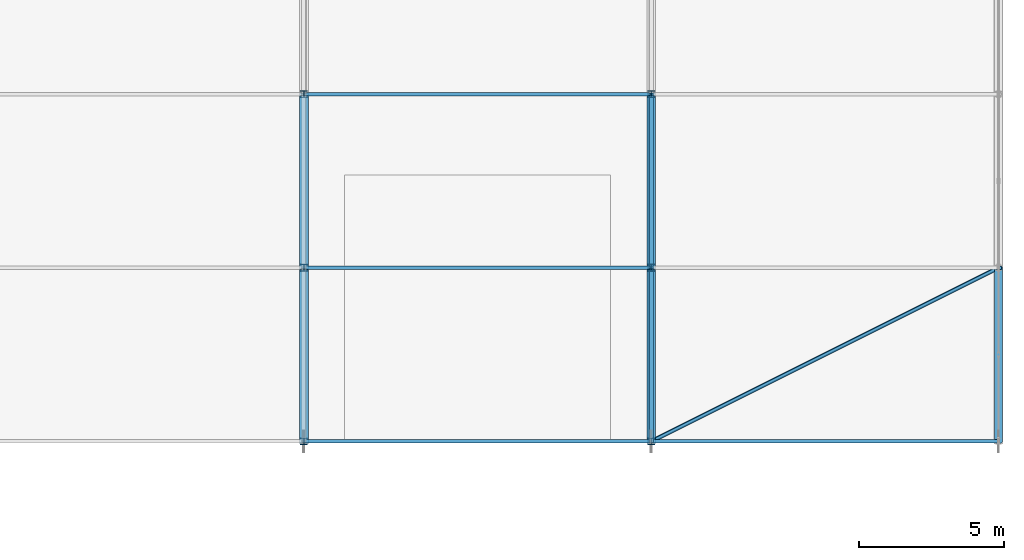
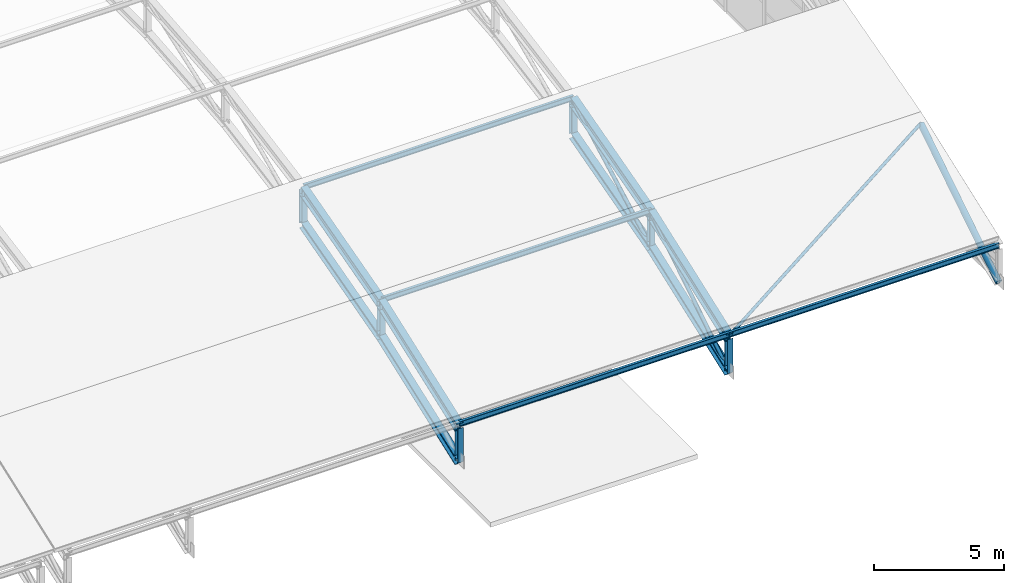
# One storey, part 105 of 204: 22 members.
"""IFC4 building model written with IfcOpenShell, lengths in metres."""

from ifc_helpers import new_model, si_unit, direction, frame, origin, origin_2d, place, context, subcontext, project, spatial, hollow_circle, i_section, extrude, material, material_profile, profile_set, type_object, element, save


model = new_model("IFC4")

# Units and contexts
model_context = context("Model", 3, precision=1e-05, world=origin(), true_north=direction((0.0, 1.0)))
body_context = subcontext(model_context, "Body", "Model", "MODEL_VIEW")
ifc_project = project(units=[si_unit("LENGTHUNIT", "METRE"), si_unit("AREAUNIT", "SQUARE_METRE"), si_unit("VOLUMEUNIT", "CUBIC_METRE"), si_unit("PLANEANGLEUNIT", "RADIAN"), si_unit("MASSUNIT", "GRAM", prefix="KILO")], contexts=[model_context])

# Site, building, storey
site_placement = place(None, origin())
site = spatial("IfcSite", under=ifc_project, at=site_placement, CompositionType="ELEMENT")
building_placement = place(site_placement, origin())
building = spatial("IfcBuilding", under=site, at=building_placement, Name="Zilviju Railside Exhibition Hall", CompositionType="ELEMENT")
storey_placement = place(building_placement, frame((0.0, 0.0, 21.0)))
storey = spatial("IfcBuildingStorey", under=building, at=storey_placement, Name="RF", CompositionType="ELEMENT", Elevation=21.0)

# Members
ifc_material_1 = material(Name="Steel S355J2", Category="steel")
ifc_material_profile_1 = material_profile(ifc_material_1, hollow_circle(Radius=0.06982421875, WallThickness=0.00634765625, at=origin_2d()), Name="CHS 139.7x6.3")
ifc_profile_set_1 = profile_set([ifc_material_profile_1], Name="Steel S355J2")
member_type_1 = type_object("IfcMemberType", Name="TR-BR-CHS139", PredefinedType="BRACE", material=ifc_profile_set_1)
member_1_placement = place(storey_placement, frame((204.0, 0.0, -6.14013671875), z_axis=(0.882894984091, 0.441447492045, 0.160064233464), x_axis=(-0.4472135955, 0.894427191, 0.0)))
element("IfcMember", 1, at=member_1_placement, inside=storey, type_object=member_type_1, Name="V1 Roof Wind Brace (204.0..216.0)", PredefinedType="BRACE", context=body_context, shape_type="SweptSolid", body=[
    extrude(hollow_circle(Radius=0.06982421875, WallThickness=0.00634765625, at=origin_2d()), origin(), (0.0, 0.0, 1.0), 13.591552734375),
])
ifc_material_profile_2 = material_profile(ifc_material_1, hollow_circle(Radius=0.084228515625, WallThickness=0.008056640625, at=origin_2d()), Name="CHS 168.3x8.0")
ifc_profile_set_2 = profile_set([ifc_material_profile_2], Name="Steel S355J2")
member_type_2 = type_object("IfcMemberType", Name="TR-BR-CHS168", PredefinedType="BRACE", material=ifc_profile_set_2)
member_2_placement = place(storey_placement, frame((204.0, 0.0, -7.800048828125), z_axis=(0.0, 0.844023315733, 0.536306481872), x_axis=(-1.0, 0.0, 0.0)))
element("IfcMember", 2, at=member_2_placement, inside=storey, type_object=member_type_2, Name="V1 Parabolic Arch Web Diagonal X=204.0 P1", PredefinedType="BRACE", context=body_context, shape_type="SweptSolid", body=[
    extrude(hollow_circle(Radius=0.084228515625, WallThickness=0.008056640625, at=origin_2d()), origin(), (0.0, 0.0, 1.0), 7.10888671875),
])
member_3_placement = place(storey_placement, frame((204.0, 6.0, -5.587646484375), z_axis=(0.0, 0.87872232578, 0.477333294644), x_axis=(-1.0, 0.0, 0.0)))
element("IfcMember", 3, at=member_3_placement, inside=storey, type_object=member_type_2, Name="V1 Parabolic Arch Web Diagonal X=204.0 P2", PredefinedType="BRACE", context=body_context, shape_type="SweptSolid", body=[
    extrude(hollow_circle(Radius=0.084228515625, WallThickness=0.008056640625, at=origin_2d()), origin(), (0.0, 0.0, 1.0), 6.828125),
])
ifc_material_2 = material(Name="Steel S355ML", Category="steel")
ifc_material_profile_3 = material_profile(ifc_material_2, hollow_circle(Radius=0.136474609375, WallThickness=0.012451171875, at=origin_2d()), Name="CHS 273.0x12.5")
ifc_profile_set_3 = profile_set([ifc_material_profile_3], Name="Steel S355ML")
member_type_3 = type_object("IfcMemberType", Name="TR-BR-CHS273", PredefinedType="BRACE", material=ifc_profile_set_3)
member_4_placement = place(storey_placement, frame((216.0, 0.0, -7.800048828125), z_axis=(0.0, 0.844023315733, 0.536306481872), x_axis=(-1.0, 0.0, 0.0)))
element("IfcMember", 4, at=member_4_placement, inside=storey, type_object=member_type_3, Name="V1 Parabolic Arch Web Diagonal X=216.0 P1", PredefinedType="BRACE", context=body_context, shape_type="SweptSolid", body=[
    extrude(hollow_circle(Radius=0.136474609375, WallThickness=0.012451171875, at=origin_2d()), origin(), (0.0, 0.0, 1.0), 7.10888671875),
])
ifc_material_profile_4 = material_profile(ifc_material_1, i_section(OverallWidth=0.300048828125, OverallDepth=0.360107421875, WebThickness=0.012451171875, FlangeThickness=0.0224609375, at=origin_2d()), Name="HEB 360")
ifc_profile_set_4 = profile_set([ifc_material_profile_4], Name="Steel S355J2")
member_type_4 = type_object("IfcMemberType", Name="TR-CH-HEB360", PredefinedType="CHORD", material=ifc_profile_set_4)
member_5_placement = place(storey_placement, frame((192.0, 0.0, -7.800048828125), z_axis=(0.0, 0.938247917098, 0.345963648468), x_axis=(-1.0, 0.0, 0.0)))
element("IfcMember", 5, at=member_5_placement, inside=storey, type_object=member_type_4, Name="V1 Parabolic Arch Bottom Chord X=192.0 P1", PredefinedType="CHORD", context=body_context, shape_type="SweptSolid", body=[
    extrude(i_section(OverallWidth=0.300048828125, OverallDepth=0.360107421875, WebThickness=0.012451171875, FlangeThickness=0.0224609375, at=origin_2d()), origin(), (0.0, 0.0, 1.0), 6.39501953125),
])
member_6_placement = place(storey_placement, frame((192.0, 6.0, -5.587646484375), z_axis=(0.0, 0.963827412659, 0.266527144223), x_axis=(-1.0, 0.0, 0.0)))
element("IfcMember", 6, at=member_6_placement, inside=storey, type_object=member_type_4, Name="V1 Parabolic Arch Bottom Chord X=192.0 P2", PredefinedType="CHORD", context=body_context, shape_type="SweptSolid", body=[
    extrude(i_section(OverallWidth=0.300048828125, OverallDepth=0.360107421875, WebThickness=0.012451171875, FlangeThickness=0.0224609375, at=origin_2d()), origin(), (0.0, 0.0, 1.0), 6.22509765625),
])
member_7_placement = place(storey_placement, frame((204.0, 0.0, -7.800048828125), z_axis=(0.0, 0.938247917098, 0.345963648468), x_axis=(-1.0, 0.0, 0.0)))
element("IfcMember", 7, at=member_7_placement, inside=storey, type_object=member_type_4, Name="V1 Parabolic Arch Bottom Chord X=204.0 P1", PredefinedType="CHORD", context=body_context, shape_type="SweptSolid", body=[
    extrude(i_section(OverallWidth=0.300048828125, OverallDepth=0.360107421875, WebThickness=0.012451171875, FlangeThickness=0.0224609375, at=origin_2d()), origin(), (0.0, 0.0, 1.0), 6.39501953125),
])
member_8_placement = place(storey_placement, frame((204.0, 6.0, -5.587646484375), z_axis=(0.0, 0.963827412659, 0.266527144223), x_axis=(-1.0, 0.0, 0.0)))
element("IfcMember", 8, at=member_8_placement, inside=storey, type_object=member_type_4, Name="V1 Parabolic Arch Bottom Chord X=204.0 P2", PredefinedType="CHORD", context=body_context, shape_type="SweptSolid", body=[
    extrude(i_section(OverallWidth=0.300048828125, OverallDepth=0.360107421875, WebThickness=0.012451171875, FlangeThickness=0.0224609375, at=origin_2d()), origin(), (0.0, 0.0, 1.0), 6.22509765625),
])
ifc_material_profile_5 = material_profile(ifc_material_1, i_section(OverallWidth=0.300048828125, OverallDepth=0.449951171875, WebThickness=0.013916015625, FlangeThickness=0.02587890625, at=origin_2d()), Name="HEB 450")
ifc_profile_set_5 = profile_set([ifc_material_profile_5], Name="Steel S355J2")
member_type_5 = type_object("IfcMemberType", Name="TR-CH-HEB450", PredefinedType="CHORD", material=ifc_profile_set_5)
member_9_placement = place(storey_placement, frame((192.0, 0.0, -6.199951171875), z_axis=(0.0, 0.938247917098, 0.345963648468), x_axis=(-1.0, 0.0, 0.0)))
element("IfcMember", 9, at=member_9_placement, inside=storey, type_object=member_type_5, Name="V1 Parabolic Arch Top Chord X=192.0 P1", PredefinedType="CHORD", context=body_context, shape_type="SweptSolid", body=[
    extrude(i_section(OverallWidth=0.300048828125, OverallDepth=0.449951171875, WebThickness=0.013916015625, FlangeThickness=0.02587890625, at=origin_2d()), origin(), (0.0, 0.0, 1.0), 6.39501953125),
])
member_10_placement = place(storey_placement, frame((192.0, 6.0, -3.987548828125), z_axis=(0.0, 0.963827412659, 0.266527144223), x_axis=(-1.0, 0.0, 0.0)))
element("IfcMember", 10, at=member_10_placement, inside=storey, type_object=member_type_5, Name="V1 Parabolic Arch Top Chord X=192.0 P2", PredefinedType="CHORD", context=body_context, shape_type="SweptSolid", body=[
    extrude(i_section(OverallWidth=0.300048828125, OverallDepth=0.449951171875, WebThickness=0.013916015625, FlangeThickness=0.02587890625, at=origin_2d()), origin(), (0.0, 0.0, 1.0), 6.22509765625),
])
member_11_placement = place(storey_placement, frame((204.0, 0.0, -6.199951171875), z_axis=(0.0, 0.938247917098, 0.345963648468), x_axis=(-1.0, 0.0, 0.0)))
element("IfcMember", 11, at=member_11_placement, inside=storey, type_object=member_type_5, Name="V1 Parabolic Arch Top Chord X=204.0 P1", PredefinedType="CHORD", context=body_context, shape_type="SweptSolid", body=[
    extrude(i_section(OverallWidth=0.300048828125, OverallDepth=0.449951171875, WebThickness=0.013916015625, FlangeThickness=0.02587890625, at=origin_2d()), origin(), (0.0, 0.0, 1.0), 6.39501953125),
])
member_12_placement = place(storey_placement, frame((204.0, 6.0, -3.987548828125), z_axis=(0.0, 0.963827412659, 0.266527144223), x_axis=(-1.0, 0.0, 0.0)))
element("IfcMember", 12, at=member_12_placement, inside=storey, type_object=member_type_5, Name="V1 Parabolic Arch Top Chord X=204.0 P2", PredefinedType="CHORD", context=body_context, shape_type="SweptSolid", body=[
    extrude(i_section(OverallWidth=0.300048828125, OverallDepth=0.449951171875, WebThickness=0.013916015625, FlangeThickness=0.02587890625, at=origin_2d()), origin(), (0.0, 0.0, 1.0), 6.22509765625),
])
ifc_material_profile_6 = material_profile(ifc_material_1, i_section(OverallWidth=0.239990234375, OverallDepth=0.22998046875, WebThickness=0.007568359375, FlangeThickness=0.011962890625, at=origin_2d()), Name="HEA 240")
ifc_profile_set_6 = profile_set([ifc_material_profile_6], Name="Steel S355J2")
member_type_6 = type_object("IfcMemberType", Name="TR-POST-HEA240", PredefinedType="POST", material=ifc_profile_set_6)
for number, where, z_axis, x_axis, name in (
    (13, (192.0, 0.0, -7.800048828125), (0.0, 0.0, 1.0), (1.0, 0.0, 0.0), "V1 Parabolic Arch Web Post X=192.0 N0"),
    (14, (192.0, 6.0, -5.587646484375), (0.0, 0.0, 1.0), (1.0, 0.0, 0.0), "V1 Parabolic Arch Web Post X=192.0 N1"),
    (15, (192.0, 12.0, -3.928466796875), (0.0, 0.0, 1.0), (1.0, 0.0, 0.0), "V1 Parabolic Arch Web Post X=192.0 N2"),
    (16, (204.0, 0.0, -7.800048828125), (0.0, 0.0, 1.0), (1.0, 0.0, 0.0), "V1 Parabolic Arch Web Post X=204.0 N0"),
    (17, (204.0, 6.0, -5.587646484375), (0.0, 0.0, 1.0), (1.0, 0.0, 0.0), "V1 Parabolic Arch Web Post X=204.0 N1"),
    (18, (204.0, 12.0, -3.928466796875), (0.0, 0.0, 1.0), (1.0, 0.0, 0.0), "V1 Parabolic Arch Web Post X=204.0 N2"),
):
    element("IfcMember", number, at=place(storey_placement, frame(where, z_axis=z_axis, x_axis=x_axis)), inside=storey, type_object=member_type_6, Name=name, PredefinedType="POST", context=body_context, shape_type="SweptSolid", body=[
        extrude(i_section(OverallWidth=0.239990234375, OverallDepth=0.22998046875, WebThickness=0.007568359375, FlangeThickness=0.011962890625, at=origin_2d()), origin(), (0.0, 0.0, 1.0), 1.60009765625),
    ])
ifc_material_profile_7 = material_profile(ifc_material_1, i_section(OverallWidth=0.1201171875, OverallDepth=0.239990234375, WebThickness=0.006103515625, FlangeThickness=0.009765625, at=origin_2d()), Name="IPE 240")
ifc_profile_set_7 = profile_set([ifc_material_profile_7], Name="Steel S355J2")
member_type_7 = type_object("IfcMemberType", Name="TR-PUR-IPE240", PredefinedType="PURLIN", material=ifc_profile_set_7)
for number, where, z_axis, x_axis, name in (
    (19, (192.0, 0.0, -6.05517578125), (1.0, 0.0, 0.0), (0.0, 1.0, 0.0), "V1 Barrel Vault Roof Purlin Y=0.0 (192.0..204.0)"),
    (20, (192.0, 6.0, -3.864990234375), (1.0, 0.0, 0.0), (0.0, 1.0, 0.0), "V1 Barrel Vault Roof Purlin Y=6.0 (192.0..204.0)"),
    (21, (192.0, 12.0, -2.193603515625), (1.0, 0.0, 0.0), (0.0, 1.0, 0.0), "V1 Barrel Vault Roof Purlin Y=12.0 (192.0..204.0)"),
    (22, (204.0, 0.0, -6.05517578125), (1.0, 0.0, 0.0), (0.0, 1.0, 0.0), "V1 Barrel Vault Roof Purlin Y=0.0 (204.0..216.0)"),
):
    element("IfcMember", number, at=place(storey_placement, frame(where, z_axis=z_axis, x_axis=x_axis)), inside=storey, type_object=member_type_7, Name=name, PredefinedType="PURLIN", context=body_context, shape_type="SweptSolid", body=[
        extrude(i_section(OverallWidth=0.1201171875, OverallDepth=0.239990234375, WebThickness=0.006103515625, FlangeThickness=0.009765625, at=origin_2d()), origin(), (0.0, 0.0, 1.0), 12.0),
    ])

save(model, "model.ifc")
